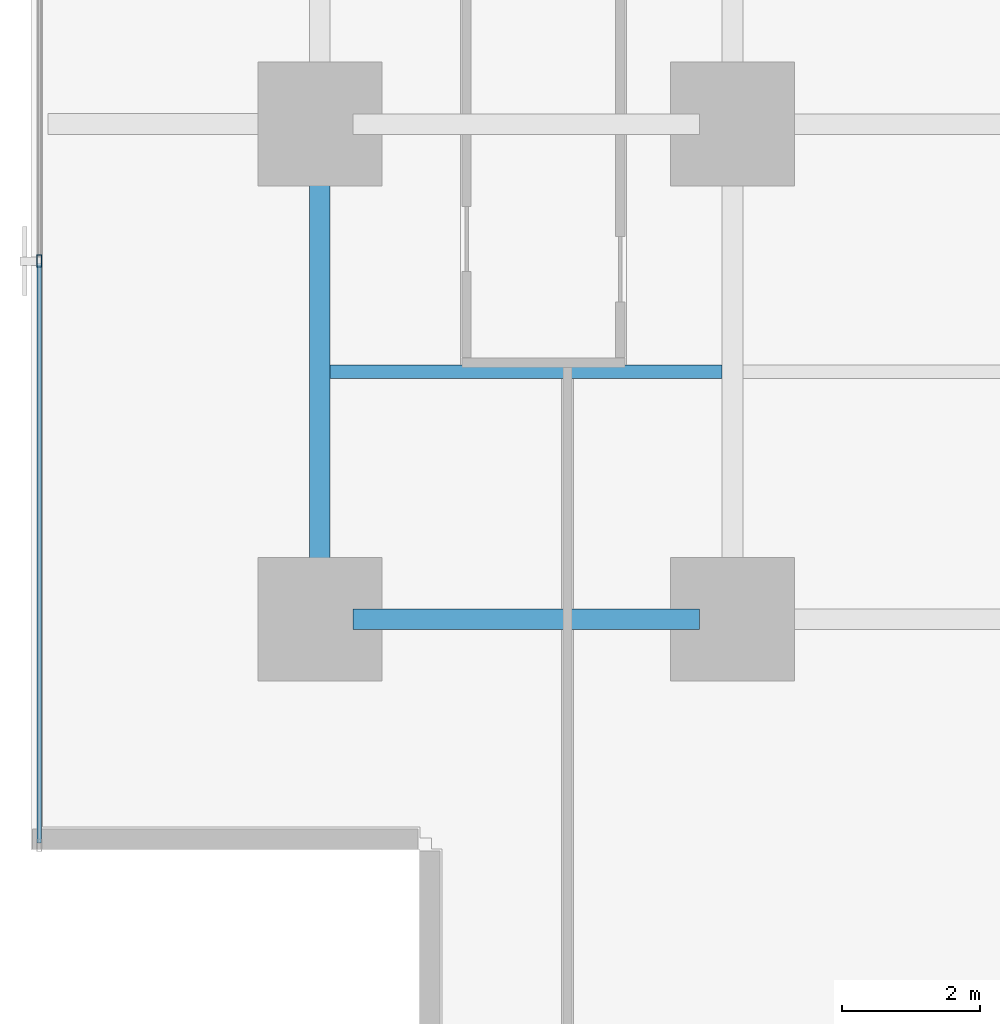
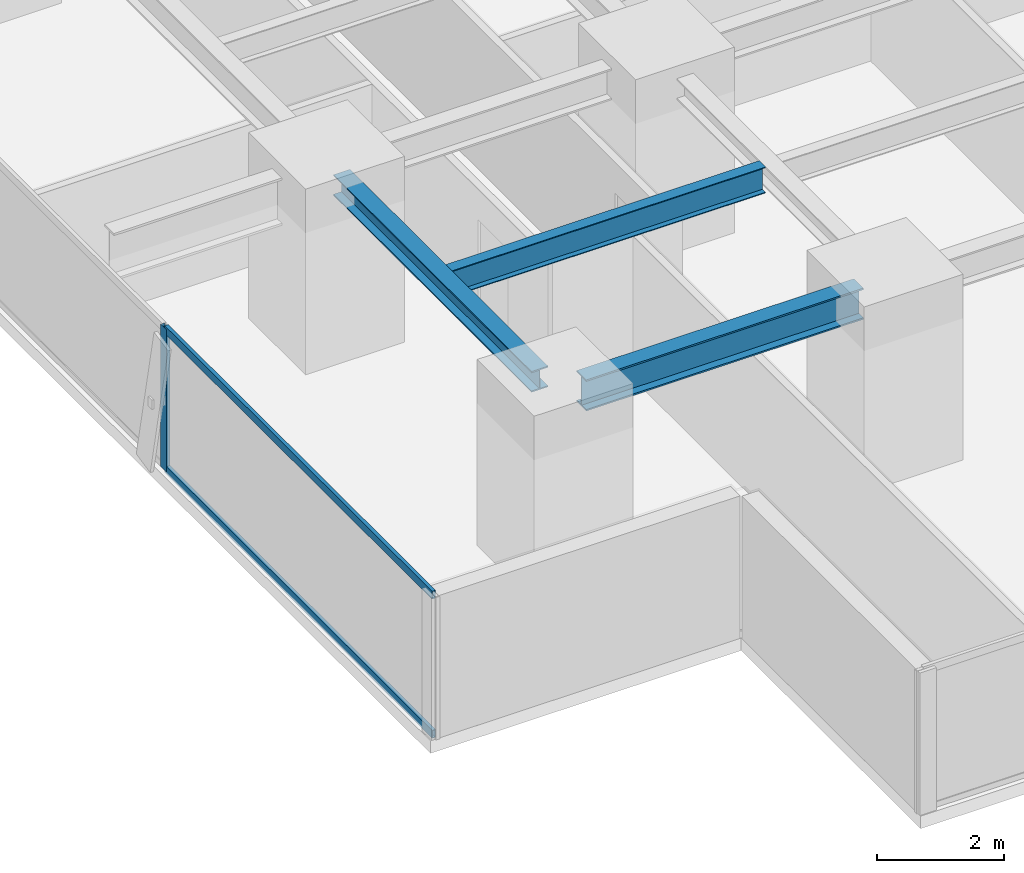
# One storey, part 3 of 34: 3 beams, 3 members, 1 element without a shape of its own.
"""IFC4 building model written with IfcOpenShell, lengths in metres."""

from ifc_helpers import new_model, si_unit, direction, frame, origin, origin_2d, place, context, subcontext, project, spatial, hollow_rectangle, i_section, extrude, source, transform, mapped, material, layer, layer_set, material_profile, profile_set, type_object, element, aggregate, save


model = new_model("IFC4")

# Units and contexts
model_context = context("Model", 3, precision=1e-05, world=origin(), true_north=direction((0.0, 1.0)))
body_context = subcontext(model_context, "Body", "Model", "MODEL_VIEW")
ifc_project = project(units=[si_unit("LENGTHUNIT", "METRE"), si_unit("AREAUNIT", "SQUARE_METRE"), si_unit("VOLUMEUNIT", "CUBIC_METRE"), si_unit("PLANEANGLEUNIT", "RADIAN"), si_unit("MASSUNIT", "GRAM", prefix="KILO")], contexts=[model_context])

# Site, building, storey
site_placement = place(None, origin())
site = spatial("IfcSite", under=ifc_project, at=site_placement, CompositionType="ELEMENT")
building_placement = place(site_placement, origin())
building = spatial("IfcBuilding", under=site, at=building_placement, Name="Sumidabori Civic Tower", CompositionType="ELEMENT")
storey_placement = place(building_placement, frame((0.0, 0.0, 41.60009765625)))
storey = spatial("IfcBuildingStorey", under=building, at=storey_placement, Name="L10", CompositionType="ELEMENT", Elevation=41.60009765625)

# Beams
ifc_material_1 = material(Name="Steel SN490", Category="steel")
ifc_material_profile_1 = material_profile(ifc_material_1, i_section(OverallWidth=0.300048828125, OverallDepth=0.60009765625, WebThickness=0.015380859375, FlangeThickness=0.030029296875, at=origin_2d()), Name="HE 600 B")
ifc_profile_set_1 = profile_set([ifc_material_profile_1], Name="Steel SN490")
beam_type_1 = type_object("IfcBeamType", Name="BM-GIRD-600", PredefinedType="BEAM", material=ifc_profile_set_1)
shared_shape_1 = source(origin(), body_context, "Body", "SweptSolid", [
    extrude(i_section(OverallWidth=0.300048828125, OverallDepth=0.60009765625, WebThickness=0.015380859375, FlangeThickness=0.030029296875, at=origin_2d()), origin(), (0.0, 0.0, 1.0), 5.0400390625),
])
beam_1_placement = place(storey_placement, frame((-22.320068359375, -18.0, 3.059814453125), z_axis=(1.0, 0.0, 0.0), x_axis=(0.0, 1.0, 0.0)))
element("IfcBeam", 1, at=beam_1_placement, inside=storey, type_object=beam_type_1, Name="Primary Girder L10 GX-01", PredefinedType="BEAM", context=body_context, shape_type="MappedRepresentation", body=[
    mapped(shared_shape_1, transform((0.0, 0.0, 0.0), x_axis=(1.0, 0.0, 0.0), y_axis=(0.0, 1.0, 0.0), z_axis=(0.0, 0.0, 1.0), scale=1.0)),
])
ifc_material_profile_2 = material_profile(ifc_material_1, i_section(OverallWidth=0.300048828125, OverallDepth=0.39990234375, WebThickness=0.013427734375, FlangeThickness=0.02392578125, at=origin_2d()), Name="HE 400 B")
ifc_profile_set_2 = profile_set([ifc_material_profile_2], Name="Steel SN490")
beam_type_2 = type_object("IfcBeamType", Name="BM-GIRD-400", PredefinedType="BEAM", material=ifc_profile_set_2)
shared_shape_2 = source(origin(), body_context, "Body", "SweptSolid", [
    extrude(i_section(OverallWidth=0.300048828125, OverallDepth=0.39990234375, WebThickness=0.013427734375, FlangeThickness=0.02392578125, at=origin_2d()), origin(), (0.0, 0.0, 1.0), 6.239990234375),
])
beam_2_placement = place(storey_placement, frame((-22.800048828125, -17.52001953125, 3.159912109375), z_axis=(0.0, 1.0, 0.0), x_axis=(-1.0, 0.0, 0.0)))
element("IfcBeam", 2, at=beam_2_placement, inside=storey, type_object=beam_type_2, Name="Primary Girder L10 GY-21", PredefinedType="BEAM", context=body_context, shape_type="MappedRepresentation", body=[
    mapped(shared_shape_2, transform((0.0, 0.0, 0.0), x_axis=(1.0, 0.0, 0.0), y_axis=(0.0, 1.0, 0.0), z_axis=(0.0, 0.0, 1.0), scale=1.0)),
])
ifc_material_profile_3 = material_profile(ifc_material_1, i_section(OverallWidth=0.199951171875, OverallDepth=0.5, WebThickness=0.01025390625, FlangeThickness=0.01611328125, at=origin_2d()), Name="IPE 500")
ifc_profile_set_3 = profile_set([ifc_material_profile_3], Name="Steel SN490")
beam_type_3 = type_object("IfcBeamType", Name="BM-JST-500", PredefinedType="JOIST", material=ifc_profile_set_3)
shared_shape_3 = source(origin(), body_context, "Body", "SweptSolid", [
    extrude(i_section(OverallWidth=0.199951171875, OverallDepth=0.5, WebThickness=0.01025390625, FlangeThickness=0.01611328125, at=origin_2d()), origin(), (0.0, 0.0, 1.0), 5.699951171875),
])
beam_3_placement = place(storey_placement, frame((-22.64990234375, -14.39990234375, 3.10986328125), z_axis=(1.0, 0.0, 0.0), x_axis=(0.0, 1.0, 0.0)))
element("IfcBeam", 3, at=beam_3_placement, inside=storey, type_object=beam_type_3, Name="Outer Bay Floor Joist L10 JSTO-57", PredefinedType="JOIST", context=body_context, shape_type="MappedRepresentation", body=[
    mapped(shared_shape_3, transform((0.0, 0.0, 0.0), x_axis=(1.0, 0.0, 0.0), y_axis=(0.0, 1.0, 0.0), z_axis=(0.0, 0.0, 1.0), scale=1.0)),
])

# Curtain wall, members
ifc_material_2 = material(Name="Anodised Bronze Aluminium AW-6063-T6", Category="aluminium")
ifc_layer = layer(ifc_material_2, 0.179931640625, Name="Anodised Bronze Aluminium AW-6063-T6")
ifc_layer_set = layer_set([ifc_layer], Name="Anodised Bronze Aluminium AW-6063-T6")
curtain_wall_type = type_object("IfcCurtainWallType", Name="CW-SYS-2", PredefinedType="NOTDEFINED", material=ifc_layer_set)
curtain_wall_placement = place(storey_placement, origin())
curtain_wall = element("IfcCurtainWall", 4, at=curtain_wall_placement, inside=storey, type_object=curtain_wall_type, Name="Curtain Wall CW:L10:R10", PredefinedType="NOTDEFINED")
ifc_material_profile_4 = material_profile(ifc_material_2, hollow_rectangle(XDim=0.070068359375, YDim=0.179931640625, WallThickness=0.006103515625, at=origin_2d()), Name="ALU MULLION 180x70")
ifc_profile_set_4 = profile_set([ifc_material_profile_4], Name="Anodised Bronze Aluminium AW-6063-T6")
member_type_1 = type_object("IfcMemberType", Name="CW-MUL-180", PredefinedType="MULLION", material=ifc_profile_set_4)
shared_shape_4 = source(origin(), body_context, "Body", "SweptSolid", [
    extrude(hollow_rectangle(XDim=0.070068359375, YDim=0.179931640625, WallThickness=0.006103515625, at=origin_2d()), origin(), (0.0, 0.0, 1.0), 2.739990234375),
])
member_1_placement = place(storey_placement, frame((-26.8798828125, -12.7919921875, 0.0), z_axis=(0.0, 0.0, 1.0), x_axis=(1.0, 0.0, 0.0)))
member_1 = element("IfcMember", 5, at=member_1_placement, type_object=member_type_1, Name="CW-2 mullion 5", PredefinedType="MULLION", context=body_context, shape_type="MappedRepresentation", body=[
    mapped(shared_shape_4, transform((0.0, 0.0, 0.0), x_axis=(1.0, 0.0, 0.0), y_axis=(0.0, 1.0, 0.0), z_axis=(0.0, 0.0, 1.0), scale=1.0)),
])
ifc_material_profile_5 = material_profile(ifc_material_2, hollow_rectangle(XDim=0.06494140625, YDim=0.14990234375, WallThickness=0.0048828125, at=origin_2d()), Name="ALU TRANSOM 150x65")
ifc_profile_set_5 = profile_set([ifc_material_profile_5], Name="Anodised Bronze Aluminium AW-6063-T6")
member_type_2 = type_object("IfcMemberType", Name="CW-TRN-150", PredefinedType="USERDEFINED", material=ifc_profile_set_5)
shared_shape_5 = source(origin(), body_context, "Body", "SweptSolid", [
    extrude(hollow_rectangle(XDim=0.06494140625, YDim=0.14990234375, WallThickness=0.0048828125, at=origin_2d()), origin(), (0.0, 0.0, 1.0), 8.423095703125),
])
member_2_placement = place(storey_placement, frame((-26.8798828125, -12.826904296875, 0.032470703125), z_axis=(0.0, -1.0, 0.0), x_axis=(1.0, 0.0, 0.0)))
member_2 = element("IfcMember", 6, at=member_2_placement, type_object=member_type_2, Name="CW-2 transom 5.1", ObjectType="TRANSOM", PredefinedType="USERDEFINED", context=body_context, shape_type="MappedRepresentation", body=[
    mapped(shared_shape_5, transform((0.0, 0.0, 0.0), x_axis=(1.0, 0.0, 0.0), y_axis=(0.0, 1.0, 0.0), z_axis=(0.0, 0.0, 1.0), scale=1.0)),
])
member_3_placement = place(storey_placement, frame((-26.8798828125, -12.826904296875, 2.70751953125), z_axis=(0.0, -1.0, 0.0), x_axis=(1.0, 0.0, 0.0)))
member_3 = element("IfcMember", 7, at=member_3_placement, type_object=member_type_2, Name="CW-2 transom 5.2", ObjectType="TRANSOM", PredefinedType="USERDEFINED", context=body_context, shape_type="MappedRepresentation", body=[
    mapped(shared_shape_5, transform((0.0, 0.0, 0.0), x_axis=(1.0, 0.0, 0.0), y_axis=(0.0, 1.0, 0.0), z_axis=(0.0, 0.0, 1.0), scale=1.0)),
])
aggregate(curtain_wall, [member_1, member_2, member_3])

save(model, "model.ifc")
